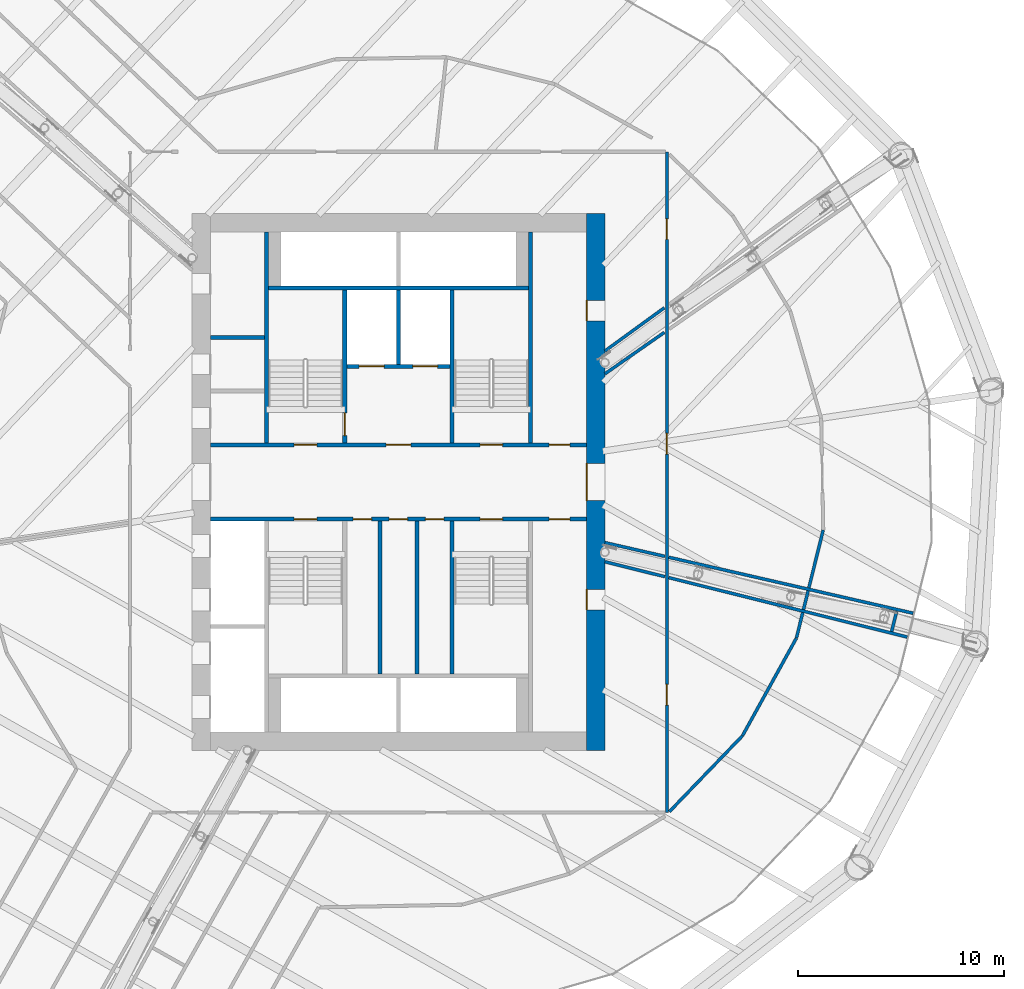
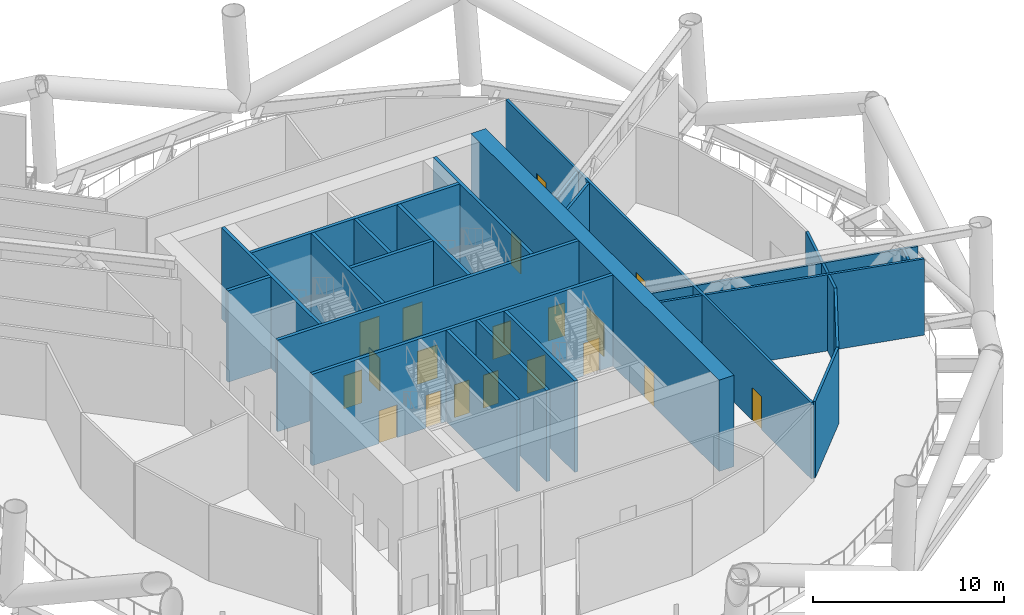
# One storey, part 15 of 39: 27 walls, 19 doors, 19 openings.
"""IFC4 building model written with IfcOpenShell, lengths in metres."""

from ifc_helpers import new_model, si_unit, direction, frame, frame_2d, origin, place, context, subcontext, project, spatial, rectangle, extrude, material, layer, layer_set, type_object, element, fill, save


model = new_model("IFC4")

# Units and contexts
model_context = context("Model", 3, precision=1e-05, world=origin(), true_north=direction((0.0, 1.0)))
body_context = subcontext(model_context, "Body", "Model", "MODEL_VIEW")
ifc_project = project(units=[si_unit("LENGTHUNIT", "METRE"), si_unit("AREAUNIT", "SQUARE_METRE"), si_unit("VOLUMEUNIT", "CUBIC_METRE"), si_unit("PLANEANGLEUNIT", "RADIAN"), si_unit("MASSUNIT", "GRAM", prefix="KILO")], contexts=[model_context])

# Site, building, storey
site_placement = place(None, origin())
site = spatial("IfcSite", under=ifc_project, at=site_placement, CompositionType="ELEMENT")
building_placement = place(site_placement, origin())
building = spatial("IfcBuilding", under=site, at=building_placement, Name="Tarsis Ring Headquarters", CompositionType="ELEMENT")
storey_placement = place(building_placement, frame((0.0, 0.0, 86.800048828125)))
storey = spatial("IfcBuildingStorey", under=building, at=storey_placement, Name="L19", CompositionType="ELEMENT", Elevation=86.800048828125)

# Walls
ifc_material_1 = material(Name="Blockwork", Category="masonry")
ifc_layer_1 = layer(ifc_material_1, 0.199951171875)
ifc_layer_set_1 = layer_set([ifc_layer_1], Name="Core blockwork wall 200")
wall_type_1 = type_object("IfcWallType", Name="Core blockwork wall 200", PredefinedType="PARTITIONING", material=ifc_layer_set_1)
wall_1_placement = place(storey_placement, frame((-9.10009765625, 7.0, 0.0), z_axis=(0.0, 0.0, 1.0), x_axis=(1.0, 0.0, 0.0)))
element("IfcWall", 1, at=wall_1_placement, inside=storey, type_object=wall_type_1, Name="Core partition WD6", PredefinedType="PARTITIONING", context=body_context, shape_type="SweptSolid", body=[
    extrude(rectangle(XDim=2.60009765625, YDim=0.199951171875, at=frame_2d((1.300048828125, 0.0))), origin(), (0.0, 0.0, 1.0), 5.83984375),
])
for number, where, z_axis, x_axis, name in (
    (2, (-0.89990234375, -9.300048828125, 0.0), (0.0, 0.0, 1.0), (0.0, 1.0, 0.0), "Core partition SV1"),
    (3, (0.89990234375, -9.300048828125, 0.0), (0.0, 0.0, 1.0), (0.0, 1.0, 0.0), "Core partition SV2"),
):
    element("IfcWall", number, at=place(storey_placement, frame(where, z_axis=z_axis, x_axis=x_axis)), inside=storey, type_object=wall_type_1, Name=name, PredefinedType="PARTITIONING", context=body_context, shape_type="SweptSolid", body=[
        extrude(rectangle(XDim=7.400146484375, YDim=0.199951171875, at=frame_2d((3.7001953125, 0.0))), origin(), (0.0, 0.0, 1.0), 5.83984375),
    ])

# Wall, openings, doors
ifc_material_2 = material(Name="Concrete C60/75", Category="concrete")
ifc_layer_2 = layer(ifc_material_2, 0.89990234375)
ifc_layer_set_2 = layer_set([ifc_layer_2], Name="Core wall 900 C60/75")
wall_type_2 = type_object("IfcWallType", Name="Core wall 900 C60/75", PredefinedType="SHEAR", material=ifc_layer_set_2)
wall_2_placement = place(storey_placement, frame((9.550048828125, -13.0, 0.0), z_axis=(0.0, 0.0, 1.0), x_axis=(0.0, 1.0, 0.0)))
wall_2 = element("IfcWall", 4, at=wall_2_placement, inside=storey, type_object=wall_type_2, Name="Core wall OE", PredefinedType="SHEAR", context=body_context, shape_type="SweptSolid", body=[
    extrude(rectangle(XDim=26.0, YDim=0.89990234375, at=frame_2d((13.0, 0.0))), origin(), (0.0, 0.0, 1.0), 5.83984375),
])
opening_1_placement = place(wall_2_placement, frame((6.800048828125, 0.0, 0.0)))
opening_1 = element("IfcOpeningElement", 5, at=opening_1_placement, cuts=wall_2, Name="Opening L19-C09", PredefinedType="OPENING", context=body_context, shape_type="SweptSolid", body=[
    extrude(rectangle(XDim=1.0, YDim=2.10009765625, at=frame_2d((0.5, 1.050048828125))), frame((0.0, 0.4599609375, 0.0), z_axis=(0.0, -1.0, 0.0), x_axis=(1.0, 0.0, 0.0)), (0.0, 0.0, 1.0), 0.919921875),
])
opening_2_placement = place(wall_2_placement, frame((12.10009765625, 0.0, 0.0)))
opening_2 = element("IfcOpeningElement", 6, at=opening_2_placement, cuts=wall_2, Name="Opening L19-C10", PredefinedType="OPENING", context=body_context, shape_type="SweptSolid", body=[
    extrude(rectangle(XDim=1.800048828125, YDim=2.10009765625, at=frame_2d((0.89990234375, 1.050048828125))), frame((0.0, 0.4599609375, 0.0), z_axis=(0.0, -1.0, 0.0), x_axis=(1.0, 0.0, 0.0)), (0.0, 0.0, 1.0), 0.919921875),
])
opening_3_placement = place(wall_2_placement, frame((20.803955078125, 0.0, 0.0)))
opening_3 = element("IfcOpeningElement", 7, at=opening_3_placement, cuts=wall_2, Name="Opening L19-C11", PredefinedType="OPENING", context=body_context, shape_type="SweptSolid", body=[
    extrude(rectangle(XDim=1.0, YDim=2.10009765625, at=frame_2d((0.5, 1.050048828125))), frame((0.0, 0.4599609375, 0.0), z_axis=(0.0, -1.0, 0.0), x_axis=(1.0, 0.0, 0.0)), (0.0, 0.0, 1.0), 0.919921875),
])
ifc_material_3 = material(Name="Steel S355", Category="steel")
door_type_1 = type_object("IfcDoorType", Name="Core entry door 1800x2100", OperationType="DOUBLE_DOOR_SINGLE_SWING", PredefinedType="DOOR", material=ifc_material_3)
door_1_placement = place(opening_2_placement, origin())
door_1 = element("IfcDoor", 8, at=door_1_placement, inside=storey, type_object=door_type_1, Name="Core entry door L19", OperationType="DOUBLE_DOOR_SINGLE_SWING", OverallHeight=2.10009765625, OverallWidth=1.800048828125, PredefinedType="DOOR", context=body_context, shape_type="SweptSolid", body=[
    extrude(rectangle(XDim=1.800048828125, YDim=2.10009765625, at=frame_2d((0.89990234375, 1.050048828125))), frame((0.0, 0.4501953125, 0.0), z_axis=(0.0, -1.0, 0.0), x_axis=(1.0, 0.0, 0.0)), (0.0, 0.0, 1.0), 0.050048828125),
])
fill(opening_2, door_1)
door_type_2 = type_object("IfcDoorType", Name="Core room door 1000x2100", OperationType="SINGLE_SWING_LEFT", PredefinedType="DOOR", material=ifc_material_3)
door_2_placement = place(opening_1_placement, origin())
door_2 = element("IfcDoor", 9, at=door_2_placement, inside=storey, type_object=door_type_2, Name="Core room door L19", OperationType="SINGLE_SWING_LEFT", OverallHeight=2.10009765625, OverallWidth=1.0, PredefinedType="DOOR", context=body_context, shape_type="SweptSolid", body=[
    extrude(rectangle(XDim=1.0, YDim=2.10009765625, at=frame_2d((0.5, 1.050048828125))), frame((0.0, 0.4501953125, 0.0), z_axis=(0.0, -1.0, 0.0), x_axis=(1.0, 0.0, 0.0)), (0.0, 0.0, 1.0), 0.050048828125),
])
fill(opening_1, door_2)
door_3_placement = place(opening_3_placement, origin())
door_3 = element("IfcDoor", 10, at=door_3_placement, inside=storey, type_object=door_type_2, Name="Core room door L19", OperationType="SINGLE_SWING_LEFT", OverallHeight=2.10009765625, OverallWidth=1.0, PredefinedType="DOOR", context=body_context, shape_type="SweptSolid", body=[
    extrude(rectangle(XDim=1.0, YDim=2.10009765625, at=frame_2d((0.5, 1.050048828125))), frame((0.0, 0.4501953125, 0.0), z_axis=(0.0, -1.0, 0.0), x_axis=(1.0, 0.0, 0.0)), (0.0, 0.0, 1.0), 0.050048828125),
])
fill(opening_3, door_3)

ifc_material_4 = material(Name="Gypsum board on steel studs", Category="steel")
ifc_layer_3 = layer(ifc_material_4, 0.14990234375)
ifc_layer_set_3 = layer_set([ifc_layer_3], Name="FL partition 150 EI 120 H4870")
wall_type_3 = type_object("IfcWallType", Name="FL partition 150 EI 120 H4870", PredefinedType="PARTITIONING", material=ifc_layer_set_3)
wall_3_placement = place(storey_placement, frame((13.0, -15.9990234375, 0.0), z_axis=(0.0, 0.0, 1.0), x_axis=(0.0, 1.0, 0.0)))
wall_3 = element("IfcWall", 11, at=wall_3_placement, inside=storey, type_object=wall_type_3, Name="Partition PW2H487", PredefinedType="PARTITIONING", context=body_context, shape_type="SweptSolid", body=[
    extrude(rectangle(XDim=31.978271484375, YDim=0.14990234375, at=frame_2d((15.9892578125, 0.0))), origin(), (0.0, 0.0, 1.0), 4.869873046875),
])
opening_4_placement = place(wall_3_placement, frame((5.19384765625, 0.0, 0.0)))
opening_4 = element("IfcOpeningElement", 12, at=opening_4_placement, cuts=wall_3, Name="Opening D19.10", PredefinedType="OPENING", context=body_context, shape_type="SweptSolid", body=[
    extrude(rectangle(XDim=1.0, YDim=2.10009765625, at=frame_2d((0.5, 1.050048828125))), frame((0.0, 0.0849609375, 0.0), z_axis=(0.0, -1.0, 0.0), x_axis=(1.0, 0.0, 0.0)), (0.0, 0.0, 1.0), 0.169921875),
])
opening_5_placement = place(wall_3_placement, frame((17.348876953125, 0.0, 0.0)))
opening_5 = element("IfcOpeningElement", 13, at=opening_5_placement, cuts=wall_3, Name="Opening D19.12", PredefinedType="OPENING", context=body_context, shape_type="SweptSolid", body=[
    extrude(rectangle(XDim=1.0, YDim=2.10009765625, at=frame_2d((0.5, 1.050048828125))), frame((0.0, 0.0849609375, 0.0), z_axis=(0.0, -1.0, 0.0), x_axis=(1.0, 0.0, 0.0)), (0.0, 0.0, 1.0), 0.169921875),
])
opening_6_placement = place(wall_3_placement, frame((27.749267578125, 0.0, 0.0)))
opening_6 = element("IfcOpeningElement", 14, at=opening_6_placement, cuts=wall_3, Name="Opening D19.13", PredefinedType="OPENING", context=body_context, shape_type="SweptSolid", body=[
    extrude(rectangle(XDim=1.0, YDim=2.10009765625, at=frame_2d((0.5, 1.050048828125))), frame((0.0, 0.0849609375, 0.0), z_axis=(0.0, -1.0, 0.0), x_axis=(1.0, 0.0, 0.0)), (0.0, 0.0, 1.0), 0.169921875),
])
ifc_material_5 = material(Name="Fire-rated timber door leaf in steel frame", Category="steel")
door_type_3 = type_object("IfcDoorType", Name="FL door FD120-1000", OperationType="NOTDEFINED", PredefinedType="DOOR", material=ifc_material_5)
door_4_placement = place(opening_4_placement, origin())
door_4 = element("IfcDoor", 15, at=door_4_placement, inside=storey, type_object=door_type_3, Name="Door D19.10", OperationType="SINGLE_SWING_LEFT", OverallHeight=2.10009765625, OverallWidth=1.0, PredefinedType="DOOR", context=body_context, shape_type="SweptSolid", body=[
    extrude(rectangle(XDim=1.0, YDim=2.10009765625, at=frame_2d((0.5, 1.050048828125))), frame((0.0, 0.02490234375, 0.0), z_axis=(0.0, -1.0, 0.0), x_axis=(1.0, 0.0, 0.0)), (0.0, 0.0, 1.0), 0.050048828125),
])
fill(opening_4, door_4)
door_5_placement = place(opening_5_placement, origin())
door_5 = element("IfcDoor", 16, at=door_5_placement, inside=storey, type_object=door_type_3, Name="Door D19.12", OperationType="SINGLE_SWING_LEFT", OverallHeight=2.10009765625, OverallWidth=1.0, PredefinedType="DOOR", context=body_context, shape_type="SweptSolid", body=[
    extrude(rectangle(XDim=1.0, YDim=2.10009765625, at=frame_2d((0.5, 1.050048828125))), frame((0.0, 0.02490234375, 0.0), z_axis=(0.0, -1.0, 0.0), x_axis=(1.0, 0.0, 0.0)), (0.0, 0.0, 1.0), 0.050048828125),
])
fill(opening_5, door_5)
door_6_placement = place(opening_6_placement, origin())
door_6 = element("IfcDoor", 17, at=door_6_placement, inside=storey, type_object=door_type_3, Name="Door D19.13", OperationType="SINGLE_SWING_RIGHT", OverallHeight=2.10009765625, OverallWidth=1.0, PredefinedType="DOOR", context=body_context, shape_type="SweptSolid", body=[
    extrude(rectangle(XDim=1.0, YDim=2.10009765625, at=frame_2d((0.5, 1.050048828125))), frame((0.0, 0.02490234375, 0.0), z_axis=(0.0, -1.0, 0.0), x_axis=(1.0, 0.0, 0.0)), (0.0, 0.0, 1.0), 0.050048828125),
])
fill(opening_6, door_6)

# Walls
wall_4_placement = place(storey_placement, frame((10.000244140625, -2.937255859375, 0.0), z_axis=(0.0, 0.0, 1.0), x_axis=(0.974743082566, -0.223329180784, 0.0)))
element("IfcWall", 18, at=wall_4_placement, inside=storey, type_object=wall_type_3, Name="Partition PW2H487", PredefinedType="PARTITIONING", context=body_context, shape_type="SweptSolid", body=[
    extrude(rectangle(XDim=2.9833984375, YDim=0.14990234375, at=frame_2d((1.49169921875, 0.0))), origin(), (0.0, 0.0, 1.0), 4.869873046875),
])
wall_5_placement = place(storey_placement, frame((13.091796875, -3.6455078125, 0.0), z_axis=(0.0, 0.0, 1.0), x_axis=(0.974746723636, -0.223313288366, 0.0)))
element("IfcWall", 19, at=wall_5_placement, inside=storey, type_object=wall_type_3, Name="Partition PW2H487", PredefinedType="PARTITIONING", context=body_context, shape_type="SweptSolid", body=[
    extrude(rectangle(XDim=12.14501953125, YDim=0.14990234375, at=frame_2d((6.072509765625, 0.0))), origin(), (0.0, 0.0, 1.0), 4.869873046875),
])
wall_6_placement = place(storey_placement, frame((10.00048828125, -3.8623046875, 0.0), z_axis=(0.0, 0.0, 1.0), x_axis=(0.970338756781, -0.241749244235, 0.0)))
element("IfcWall", 20, at=wall_6_placement, inside=storey, type_object=wall_type_3, Name="Partition PW2H487", PredefinedType="PARTITIONING", context=body_context, shape_type="SweptSolid", body=[
    extrude(rectangle(XDim=2.995361328125, YDim=0.14990234375, at=frame_2d((1.49755859375, 0.0))), origin(), (0.0, 0.0, 1.0), 4.869873046875),
])
wall_7_placement = place(storey_placement, frame((13.093017578125, -4.6328125, 0.0), z_axis=(0.0, 0.0, 1.0), x_axis=(0.970337618816, -0.241753811781, 0.0)))
element("IfcWall", 21, at=wall_7_placement, inside=storey, type_object=wall_type_3, Name="Partition PW2H487", PredefinedType="PARTITIONING", context=body_context, shape_type="SweptSolid", body=[
    extrude(rectangle(XDim=11.904296875, YDim=0.14990234375, at=frame_2d((5.9521484375, 0.0))), origin(), (0.0, 0.0, 1.0), 4.869873046875),
])
wall_8_placement = place(storey_placement, frame((9.997802734375, 5.237548828125, 0.0), z_axis=(0.0, 0.0, 1.0), x_axis=(0.820365591241, 0.571839397653, 0.0)))
element("IfcWall", 22, at=wall_8_placement, inside=storey, type_object=wall_type_3, Name="Partition PW2H487", PredefinedType="PARTITIONING", context=body_context, shape_type="SweptSolid", body=[
    extrude(rectangle(XDim=3.515869140625, YDim=0.14990234375, at=frame_2d((1.7578125, 0.0))), origin(), (0.0, 0.0, 1.0), 4.869873046875),
])
wall_9_placement = place(storey_placement, frame((9.99755859375, 6.3427734375, 0.0), z_axis=(0.0, 0.0, 1.0), x_axis=(0.808739045555, 0.588167625933, 0.0)))
element("IfcWall", 23, at=wall_9_placement, inside=storey, type_object=wall_type_3, Name="Partition PW2H487", PredefinedType="PARTITIONING", context=body_context, shape_type="SweptSolid", body=[
    extrude(rectangle(XDim=3.565185546875, YDim=0.14990234375, at=frame_2d((1.78271484375, 0.0))), origin(), (0.0, 0.0, 1.0), 4.869873046875),
])
wall_10_placement = place(storey_placement, frame((19.277099609375, -7.56201171875, 0.0), z_axis=(0.0, 0.0, 1.0), x_axis=(0.240457971044, 0.97065955111, 0.0)))
element("IfcWall", 24, at=wall_10_placement, inside=storey, type_object=wall_type_3, Name="Partition PW2H487", PredefinedType="PARTITIONING", context=body_context, shape_type="SweptSolid", body=[
    extrude(rectangle(XDim=1.272216796875, YDim=0.14990234375, at=frame_2d((0.63623046875, 0.0))), origin(), (0.0, 0.0, 1.0), 4.869873046875),
])
wall_11_placement = place(storey_placement, frame((19.619140625, -6.181396484375, 0.0), z_axis=(0.0, 0.0, 1.0), x_axis=(0.24051397288, 0.970645676264, 0.0)))
element("IfcWall", 25, at=wall_11_placement, inside=storey, type_object=wall_type_3, Name="Partition PW2H487", PredefinedType="PARTITIONING", context=body_context, shape_type="SweptSolid", body=[
    extrude(rectangle(XDim=0.93798828125, YDim=0.14990234375, at=frame_2d((0.468994140625, 0.0))), origin(), (0.0, 0.0, 1.0), 4.869873046875),
])
wall_12_placement = place(storey_placement, frame((19.881591796875, -5.122802734375, 0.0), z_axis=(0.0, 0.0, 1.0), x_axis=(0.240501965567, 0.970648651448, 0.0)))
element("IfcWall", 26, at=wall_12_placement, inside=storey, type_object=wall_type_3, Name="Partition PW2H487", PredefinedType="PARTITIONING", context=body_context, shape_type="SweptSolid", body=[
    extrude(rectangle(XDim=2.8818359375, YDim=0.14990234375, at=frame_2d((1.44091796875, 0.0))), origin(), (0.0, 0.0, 1.0), 4.869873046875),
])
wall_13_placement = place(storey_placement, frame((13.12158203125, -15.97119140625, 0.0), z_axis=(0.0, 0.0, 1.0), x_axis=(0.693661906282, 0.720300742589, 0.0)))
element("IfcWall", 27, at=wall_13_placement, inside=storey, type_object=wall_type_3, Name="Partition PW2H487", PredefinedType="PARTITIONING", context=body_context, shape_type="SweptSolid", body=[
    extrude(rectangle(XDim=5.104736328125, YDim=0.14990234375, at=frame_2d((2.55224609375, 0.0))), origin(), (0.0, 0.0, 1.0), 4.869873046875),
])
wall_14_placement = place(storey_placement, frame((16.667724609375, -12.284912109375, 0.0), z_axis=(0.0, 0.0, 1.0), x_axis=(0.483593802551, 0.875292542031, 0.0)))
element("IfcWall", 28, at=wall_14_placement, inside=storey, type_object=wall_type_3, Name="Partition PW2H487", PredefinedType="PARTITIONING", context=body_context, shape_type="SweptSolid", body=[
    extrude(rectangle(XDim=5.38525390625, YDim=0.14990234375, at=frame_2d((2.692626953125, 0.0))), origin(), (0.0, 0.0, 1.0), 4.869873046875),
])
wall_15_placement = place(storey_placement, frame((23.889404296875, -7.241943359375, 0.0), z_axis=(0.0, 0.0, 1.0), x_axis=(0.240664613698, 0.970608336928, 0.0)))
element("IfcWall", 29, at=wall_15_placement, inside=storey, type_object=wall_type_3, Name="Partition PW2H487", PredefinedType="PARTITIONING", context=body_context, shape_type="SweptSolid", body=[
    extrude(rectangle(XDim=1.013427734375, YDim=0.14990234375, at=frame_2d((0.5068359375, 0.0))), origin(), (0.0, 0.0, 1.0), 4.869873046875),
])

# Wall, openings, doors
ifc_material_6 = material(Name="Concrete C32/40", Category="concrete")
ifc_layer_4 = layer(ifc_material_6, 0.199951171875)
ifc_layer_set_4 = layer_set([ifc_layer_4], Name="Shaft wall 200 C32/40")
wall_type_4 = type_object("IfcWallType", Name="Shaft wall 200 C32/40", PredefinedType="SOLIDWALL", material=ifc_layer_set_4)
wall_16_placement = place(storey_placement, frame((-9.10009765625, 1.800048828125, 0.0), z_axis=(0.0, 0.0, 1.0), x_axis=(1.0, 0.0, 0.0)))
wall_16 = element("IfcWall", 30, at=wall_16_placement, inside=storey, type_object=wall_type_4, Name="Core shaft wall CN", PredefinedType="SOLIDWALL", context=body_context, shape_type="SweptSolid", body=[
    extrude(rectangle(XDim=18.2001953125, YDim=0.199951171875, at=frame_2d((9.10009765625, 0.0))), origin(), (0.0, 0.0, 1.0), 5.83984375),
])
opening_7_placement = place(wall_16_placement, frame((4.050048828125, 0.0, 0.0)))
opening_7 = element("IfcOpeningElement", 31, at=opening_7_placement, cuts=wall_16, Name="Opening L19-C12", PredefinedType="OPENING", context=body_context, shape_type="SweptSolid", body=[
    extrude(rectangle(XDim=1.10009765625, YDim=2.10009765625, at=frame_2d((0.550048828125, 1.050048828125))), frame((0.0, 0.10986328125, 0.0), z_axis=(0.0, -1.0, 0.0), x_axis=(1.0, 0.0, 0.0)), (0.0, 0.0, 1.0), 0.219970703125),
])
opening_8_placement = place(wall_16_placement, frame((8.5, 0.0, 0.0)))
opening_8 = element("IfcOpeningElement", 32, at=opening_8_placement, cuts=wall_16, Name="Opening L19-C13", PredefinedType="OPENING", context=body_context, shape_type="SweptSolid", body=[
    extrude(rectangle(XDim=1.199951171875, YDim=2.10009765625, at=frame_2d((0.60009765625, 1.050048828125))), frame((0.0, 0.10986328125, 0.0), z_axis=(0.0, -1.0, 0.0), x_axis=(1.0, 0.0, 0.0)), (0.0, 0.0, 1.0), 0.219970703125),
])
opening_9_placement = place(wall_16_placement, frame((13.050048828125, 0.0, 0.0)))
opening_9 = element("IfcOpeningElement", 33, at=opening_9_placement, cuts=wall_16, Name="Opening L19-C14", PredefinedType="OPENING", context=body_context, shape_type="SweptSolid", body=[
    extrude(rectangle(XDim=1.10009765625, YDim=2.10009765625, at=frame_2d((0.550048828125, 1.050048828125))), frame((0.0, 0.10986328125, 0.0), z_axis=(0.0, -1.0, 0.0), x_axis=(1.0, 0.0, 0.0)), (0.0, 0.0, 1.0), 0.219970703125),
])
opening_10_placement = place(wall_16_placement, frame((16.39990234375, 0.0, 0.0)))
opening_10 = element("IfcOpeningElement", 34, at=opening_10_placement, cuts=wall_16, Name="Opening L19-C15", PredefinedType="OPENING", context=body_context, shape_type="SweptSolid", body=[
    extrude(rectangle(XDim=1.0, YDim=2.10009765625, at=frame_2d((0.5, 1.050048828125))), frame((0.0, 0.10986328125, 0.0), z_axis=(0.0, -1.0, 0.0), x_axis=(1.0, 0.0, 0.0)), (0.0, 0.0, 1.0), 0.219970703125),
])
door_7_placement = place(opening_10_placement, origin())
door_7 = element("IfcDoor", 35, at=door_7_placement, inside=storey, type_object=door_type_2, Name="Core room door L19", OperationType="SINGLE_SWING_LEFT", OverallHeight=2.10009765625, OverallWidth=1.0, PredefinedType="DOOR", context=body_context, shape_type="SweptSolid", body=[
    extrude(rectangle(XDim=1.0, YDim=2.10009765625, at=frame_2d((0.5, 1.050048828125))), frame((0.0, 0.02490234375, 0.0), z_axis=(0.0, -1.0, 0.0), x_axis=(1.0, 0.0, 0.0)), (0.0, 0.0, 1.0), 0.050048828125),
])
fill(opening_10, door_7)
door_type_4 = type_object("IfcDoorType", Name="Firefighting lobby door 1200x2100", OperationType="DOUBLE_DOOR_SINGLE_SWING", PredefinedType="DOOR", material=ifc_material_3)
door_8_placement = place(opening_8_placement, origin())
door_8 = element("IfcDoor", 36, at=door_8_placement, inside=storey, type_object=door_type_4, Name="Firefighting lobby door L19", OperationType="DOUBLE_DOOR_SINGLE_SWING", OverallHeight=2.10009765625, OverallWidth=1.199951171875, PredefinedType="DOOR", context=body_context, shape_type="SweptSolid", body=[
    extrude(rectangle(XDim=1.199951171875, YDim=2.10009765625, at=frame_2d((0.60009765625, 1.050048828125))), frame((0.0, 0.02490234375, 0.0), z_axis=(0.0, -1.0, 0.0), x_axis=(1.0, 0.0, 0.0)), (0.0, 0.0, 1.0), 0.050048828125),
])
fill(opening_8, door_8)
door_type_5 = type_object("IfcDoorType", Name="Stair door 1100x2100", OperationType="SINGLE_SWING_LEFT", PredefinedType="DOOR", material=ifc_material_3)
door_9_placement = place(opening_7_placement, origin())
door_9 = element("IfcDoor", 37, at=door_9_placement, inside=storey, type_object=door_type_5, Name="Stair door L19", OperationType="SINGLE_SWING_LEFT", OverallHeight=2.10009765625, OverallWidth=1.10009765625, PredefinedType="DOOR", context=body_context, shape_type="SweptSolid", body=[
    extrude(rectangle(XDim=1.10009765625, YDim=2.10009765625, at=frame_2d((0.550048828125, 1.050048828125))), frame((0.0, 0.02490234375, 0.0), z_axis=(0.0, -1.0, 0.0), x_axis=(1.0, 0.0, 0.0)), (0.0, 0.0, 1.0), 0.050048828125),
])
fill(opening_7, door_9)
door_10_placement = place(opening_9_placement, origin())
door_10 = element("IfcDoor", 38, at=door_10_placement, inside=storey, type_object=door_type_5, Name="Stair door L19", OperationType="SINGLE_SWING_LEFT", OverallHeight=2.10009765625, OverallWidth=1.10009765625, PredefinedType="DOOR", context=body_context, shape_type="SweptSolid", body=[
    extrude(rectangle(XDim=1.10009765625, YDim=2.10009765625, at=frame_2d((0.550048828125, 1.050048828125))), frame((0.0, 0.02490234375, 0.0), z_axis=(0.0, -1.0, 0.0), x_axis=(1.0, 0.0, 0.0)), (0.0, 0.0, 1.0), 0.050048828125),
])
fill(opening_9, door_10)

wall_17_placement = place(storey_placement, frame((-9.10009765625, -1.800048828125, 0.0), z_axis=(0.0, 0.0, 1.0), x_axis=(1.0, 0.0, 0.0)))
wall_17 = element("IfcWall", 39, at=wall_17_placement, inside=storey, type_object=wall_type_4, Name="Core shaft wall CS", PredefinedType="SOLIDWALL", context=body_context, shape_type="SweptSolid", body=[
    extrude(rectangle(XDim=18.2001953125, YDim=0.199951171875, at=frame_2d((9.10009765625, 0.0))), origin(), (0.0, 0.0, 1.0), 5.83984375),
])
opening_11_placement = place(wall_17_placement, frame((4.050048828125, 0.0, 0.0)))
opening_11 = element("IfcOpeningElement", 40, at=opening_11_placement, cuts=wall_17, Name="Opening L19-C16", PredefinedType="OPENING", context=body_context, shape_type="SweptSolid", body=[
    extrude(rectangle(XDim=1.10009765625, YDim=2.10009765625, at=frame_2d((0.550048828125, 1.050048828125))), frame((0.0, 0.10986328125, 0.0), z_axis=(0.0, -1.0, 0.0), x_axis=(1.0, 0.0, 0.0)), (0.0, 0.0, 1.0), 0.219970703125),
])
opening_12_placement = place(wall_17_placement, frame((6.89990234375, 0.0, 0.0)))
opening_12 = element("IfcOpeningElement", 41, at=opening_12_placement, cuts=wall_17, Name="Opening L19-C17", PredefinedType="OPENING", context=body_context, shape_type="SweptSolid", body=[
    extrude(rectangle(XDim=0.89990234375, YDim=2.10009765625, at=frame_2d((0.449951171875, 1.050048828125))), frame((0.0, 0.10986328125, 0.0), z_axis=(0.0, -1.0, 0.0), x_axis=(1.0, 0.0, 0.0)), (0.0, 0.0, 1.0), 0.219970703125),
])
opening_13_placement = place(wall_17_placement, frame((8.64990234375, 0.0, 0.0)))
opening_13 = element("IfcOpeningElement", 42, at=opening_13_placement, cuts=wall_17, Name="Opening L19-C18", PredefinedType="OPENING", context=body_context, shape_type="SweptSolid", body=[
    extrude(rectangle(XDim=0.89990234375, YDim=2.10009765625, at=frame_2d((0.449951171875, 1.050048828125))), frame((0.0, 0.10986328125, 0.0), z_axis=(0.0, -1.0, 0.0), x_axis=(1.0, 0.0, 0.0)), (0.0, 0.0, 1.0), 0.219970703125),
])
opening_14_placement = place(wall_17_placement, frame((10.39990234375, 0.0, 0.0)))
opening_14 = element("IfcOpeningElement", 43, at=opening_14_placement, cuts=wall_17, Name="Opening L19-C19", PredefinedType="OPENING", context=body_context, shape_type="SweptSolid", body=[
    extrude(rectangle(XDim=0.89990234375, YDim=2.10009765625, at=frame_2d((0.449951171875, 1.050048828125))), frame((0.0, 0.10986328125, 0.0), z_axis=(0.0, -1.0, 0.0), x_axis=(1.0, 0.0, 0.0)), (0.0, 0.0, 1.0), 0.219970703125),
])
opening_15_placement = place(wall_17_placement, frame((13.050048828125, 0.0, 0.0)))
opening_15 = element("IfcOpeningElement", 44, at=opening_15_placement, cuts=wall_17, Name="Opening L19-C20", PredefinedType="OPENING", context=body_context, shape_type="SweptSolid", body=[
    extrude(rectangle(XDim=1.10009765625, YDim=2.10009765625, at=frame_2d((0.550048828125, 1.050048828125))), frame((0.0, 0.10986328125, 0.0), z_axis=(0.0, -1.0, 0.0), x_axis=(1.0, 0.0, 0.0)), (0.0, 0.0, 1.0), 0.219970703125),
])
opening_16_placement = place(wall_17_placement, frame((16.39990234375, 0.0, 0.0)))
opening_16 = element("IfcOpeningElement", 45, at=opening_16_placement, cuts=wall_17, Name="Opening L19-C21", PredefinedType="OPENING", context=body_context, shape_type="SweptSolid", body=[
    extrude(rectangle(XDim=1.0, YDim=2.10009765625, at=frame_2d((0.5, 1.050048828125))), frame((0.0, 0.10986328125, 0.0), z_axis=(0.0, -1.0, 0.0), x_axis=(1.0, 0.0, 0.0)), (0.0, 0.0, 1.0), 0.219970703125),
])
door_11_placement = place(opening_16_placement, origin())
door_11 = element("IfcDoor", 46, at=door_11_placement, inside=storey, type_object=door_type_2, Name="Core room door L19", OperationType="SINGLE_SWING_LEFT", OverallHeight=2.10009765625, OverallWidth=1.0, PredefinedType="DOOR", context=body_context, shape_type="SweptSolid", body=[
    extrude(rectangle(XDim=1.0, YDim=2.10009765625, at=frame_2d((0.5, 1.050048828125))), frame((0.0, 0.02490234375, 0.0), z_axis=(0.0, -1.0, 0.0), x_axis=(1.0, 0.0, 0.0)), (0.0, 0.0, 1.0), 0.050048828125),
])
fill(opening_16, door_11)
door_12_placement = place(opening_11_placement, origin())
door_12 = element("IfcDoor", 47, at=door_12_placement, inside=storey, type_object=door_type_5, Name="Stair door L19", OperationType="SINGLE_SWING_LEFT", OverallHeight=2.10009765625, OverallWidth=1.10009765625, PredefinedType="DOOR", context=body_context, shape_type="SweptSolid", body=[
    extrude(rectangle(XDim=1.10009765625, YDim=2.10009765625, at=frame_2d((0.550048828125, 1.050048828125))), frame((0.0, 0.02490234375, 0.0), z_axis=(0.0, -1.0, 0.0), x_axis=(1.0, 0.0, 0.0)), (0.0, 0.0, 1.0), 0.050048828125),
])
fill(opening_11, door_12)
door_13_placement = place(opening_15_placement, origin())
door_13 = element("IfcDoor", 48, at=door_13_placement, inside=storey, type_object=door_type_5, Name="Stair door L19", OperationType="SINGLE_SWING_LEFT", OverallHeight=2.10009765625, OverallWidth=1.10009765625, PredefinedType="DOOR", context=body_context, shape_type="SweptSolid", body=[
    extrude(rectangle(XDim=1.10009765625, YDim=2.10009765625, at=frame_2d((0.550048828125, 1.050048828125))), frame((0.0, 0.02490234375, 0.0), z_axis=(0.0, -1.0, 0.0), x_axis=(1.0, 0.0, 0.0)), (0.0, 0.0, 1.0), 0.050048828125),
])
fill(opening_15, door_13)
door_type_6 = type_object("IfcDoorType", Name="WC door 900x2100", OperationType="SINGLE_SWING_LEFT", PredefinedType="DOOR", material=ifc_material_3)
door_14_placement = place(opening_12_placement, origin())
door_14 = element("IfcDoor", 49, at=door_14_placement, inside=storey, type_object=door_type_6, Name="WC door L19", OperationType="SINGLE_SWING_LEFT", OverallHeight=2.10009765625, OverallWidth=0.89990234375, PredefinedType="DOOR", context=body_context, shape_type="SweptSolid", body=[
    extrude(rectangle(XDim=0.89990234375, YDim=2.10009765625, at=frame_2d((0.449951171875, 1.050048828125))), frame((0.0, 0.02490234375, 0.0), z_axis=(0.0, -1.0, 0.0), x_axis=(1.0, 0.0, 0.0)), (0.0, 0.0, 1.0), 0.050048828125),
])
fill(opening_12, door_14)
door_15_placement = place(opening_13_placement, origin())
door_15 = element("IfcDoor", 50, at=door_15_placement, inside=storey, type_object=door_type_6, Name="WC door L19", OperationType="SINGLE_SWING_LEFT", OverallHeight=2.10009765625, OverallWidth=0.89990234375, PredefinedType="DOOR", context=body_context, shape_type="SweptSolid", body=[
    extrude(rectangle(XDim=0.89990234375, YDim=2.10009765625, at=frame_2d((0.449951171875, 1.050048828125))), frame((0.0, 0.02490234375, 0.0), z_axis=(0.0, -1.0, 0.0), x_axis=(1.0, 0.0, 0.0)), (0.0, 0.0, 1.0), 0.050048828125),
])
fill(opening_13, door_15)
door_16_placement = place(opening_14_placement, origin())
door_16 = element("IfcDoor", 51, at=door_16_placement, inside=storey, type_object=door_type_6, Name="WC door L19", OperationType="SINGLE_SWING_LEFT", OverallHeight=2.10009765625, OverallWidth=0.89990234375, PredefinedType="DOOR", context=body_context, shape_type="SweptSolid", body=[
    extrude(rectangle(XDim=0.89990234375, YDim=2.10009765625, at=frame_2d((0.449951171875, 1.050048828125))), frame((0.0, 0.02490234375, 0.0), z_axis=(0.0, -1.0, 0.0), x_axis=(1.0, 0.0, 0.0)), (0.0, 0.0, 1.0), 0.050048828125),
])
fill(opening_14, door_16)

# Walls
for number, where, z_axis, x_axis, name in (
    (52, (-6.39990234375, 1.89990234375, 0.0), (0.0, 0.0, 1.0), (0.0, 1.0, 0.0), "Core shaft wall WB2"),
    (53, (6.39990234375, 1.89990234375, 0.0), (0.0, 0.0, 1.0), (0.0, 1.0, 0.0), "Core shaft wall EB2"),
):
    element("IfcWall", number, at=place(storey_placement, frame(where, z_axis=z_axis, x_axis=x_axis)), inside=storey, type_object=wall_type_4, Name=name, PredefinedType="SOLIDWALL", context=body_context, shape_type="SweptSolid", body=[
        extrude(rectangle(XDim=10.2001953125, YDim=0.199951171875, at=frame_2d((5.10009765625, 0.0))), origin(), (0.0, 0.0, 1.0), 5.83984375),
    ])
wall_18_placement = place(storey_placement, frame((-6.300048828125, 9.39990234375, 0.0), z_axis=(0.0, 0.0, 1.0), x_axis=(1.0, 0.0, 0.0)))
element("IfcWall", 54, at=wall_18_placement, inside=storey, type_object=wall_type_4, Name="Core shaft wall NB", PredefinedType="SOLIDWALL", context=body_context, shape_type="SweptSolid", body=[
    extrude(rectangle(XDim=12.60009765625, YDim=0.199951171875, at=frame_2d((6.300048828125, 0.0))), origin(), (0.0, 0.0, 1.0), 5.83984375),
])

# Wall, opening, door
wall_19_placement = place(storey_placement, frame((-2.60009765625, 1.89990234375, 0.0), z_axis=(0.0, 0.0, 1.0), x_axis=(0.0, 1.0, 0.0)))
wall_19 = element("IfcWall", 55, at=wall_19_placement, inside=storey, type_object=wall_type_4, Name="Core shaft wall SW1", PredefinedType="SOLIDWALL", context=body_context, shape_type="SweptSolid", body=[
    extrude(rectangle(XDim=7.400146484375, YDim=0.199951171875, at=frame_2d((3.7001953125, 0.0))), origin(), (0.0, 0.0, 1.0), 5.83984375),
])
opening_17_placement = place(wall_19_placement, frame((0.35009765625, 0.0, 0.0)))
opening_17 = element("IfcOpeningElement", 56, at=opening_17_placement, cuts=wall_19, Name="Opening L19-C22", PredefinedType="OPENING", context=body_context, shape_type="SweptSolid", body=[
    extrude(rectangle(XDim=1.10009765625, YDim=2.10009765625, at=frame_2d((0.550048828125, 1.050048828125))), frame((0.0, 0.10986328125, 0.0), z_axis=(0.0, -1.0, 0.0), x_axis=(1.0, 0.0, 0.0)), (0.0, 0.0, 1.0), 0.219970703125),
])
door_17_placement = place(opening_17_placement, origin())
door_17 = element("IfcDoor", 57, at=door_17_placement, inside=storey, type_object=door_type_5, Name="Stair door L19", OperationType="SINGLE_SWING_LEFT", OverallHeight=2.10009765625, OverallWidth=1.10009765625, PredefinedType="DOOR", context=body_context, shape_type="SweptSolid", body=[
    extrude(rectangle(XDim=1.10009765625, YDim=2.10009765625, at=frame_2d((0.550048828125, 1.050048828125))), frame((0.0, 0.02490234375, 0.0), z_axis=(0.0, -1.0, 0.0), x_axis=(1.0, 0.0, 0.0)), (0.0, 0.0, 1.0), 0.050048828125),
])
fill(opening_17, door_17)

# Walls
for number, where, z_axis, x_axis, name in (
    (58, (2.60009765625, 1.89990234375, 0.0), (0.0, 0.0, 1.0), (0.0, 1.0, 0.0), "Core shaft wall SW2"),
    (59, (2.60009765625, -9.300048828125, 0.0), (0.0, 0.0, 1.0), (0.0, 1.0, 0.0), "Core shaft wall SW4"),
):
    element("IfcWall", number, at=place(storey_placement, frame(where, z_axis=z_axis, x_axis=x_axis)), inside=storey, type_object=wall_type_4, Name=name, PredefinedType="SOLIDWALL", context=body_context, shape_type="SweptSolid", body=[
        extrude(rectangle(XDim=7.400146484375, YDim=0.199951171875, at=frame_2d((3.7001953125, 0.0))), origin(), (0.0, 0.0, 1.0), 5.83984375),
    ])

# Wall, openings, doors
wall_20_placement = place(storey_placement, frame((-2.5, 5.60009765625, 0.0), z_axis=(0.0, 0.0, 1.0), x_axis=(1.0, 0.0, 0.0)))
wall_20 = element("IfcWall", 60, at=wall_20_placement, inside=storey, type_object=wall_type_4, Name="Core shaft wall FFN", PredefinedType="SOLIDWALL", context=body_context, shape_type="SweptSolid", body=[
    extrude(rectangle(XDim=5.0, YDim=0.199951171875, at=frame_2d((2.5, 0.0))), origin(), (0.0, 0.0, 1.0), 5.83984375),
])
opening_18_placement = place(wall_20_placement, frame((0.60009765625, 0.0, 0.0)))
opening_18 = element("IfcOpeningElement", 61, at=opening_18_placement, cuts=wall_20, Name="Opening LDF-1", PredefinedType="OPENING", context=body_context, shape_type="SweptSolid", body=[
    extrude(rectangle(XDim=1.199951171875, YDim=2.10009765625, at=frame_2d((0.60009765625, 1.050048828125))), frame((0.0, 0.10986328125, 0.0), z_axis=(0.0, -1.0, 0.0), x_axis=(1.0, 0.0, 0.0)), (0.0, 0.0, 1.0), 0.219970703125),
])
opening_19_placement = place(wall_20_placement, frame((3.199951171875, 0.0, 0.0)))
opening_19 = element("IfcOpeningElement", 62, at=opening_19_placement, cuts=wall_20, Name="Opening LDF-2", PredefinedType="OPENING", context=body_context, shape_type="SweptSolid", body=[
    extrude(rectangle(XDim=1.199951171875, YDim=2.10009765625, at=frame_2d((0.60009765625, 1.050048828125))), frame((0.0, 0.10986328125, 0.0), z_axis=(0.0, -1.0, 0.0), x_axis=(1.0, 0.0, 0.0)), (0.0, 0.0, 1.0), 0.219970703125),
])
door_type_7 = type_object("IfcDoorType", Name="Firefighting landing door 1200x2100", OperationType="SLIDING_TO_LEFT", PredefinedType="DOOR", material=ifc_material_3)
door_18_placement = place(opening_18_placement, origin())
door_18 = element("IfcDoor", 63, at=door_18_placement, inside=storey, type_object=door_type_7, Name="Landing door FF1 L19", OperationType="SLIDING_TO_LEFT", OverallHeight=2.10009765625, OverallWidth=1.199951171875, PredefinedType="DOOR", context=body_context, shape_type="SweptSolid", body=[
    extrude(rectangle(XDim=1.199951171875, YDim=2.10009765625, at=frame_2d((0.60009765625, 1.050048828125))), frame((0.0, 0.02490234375, 0.0), z_axis=(0.0, -1.0, 0.0), x_axis=(1.0, 0.0, 0.0)), (0.0, 0.0, 1.0), 0.050048828125),
])
fill(opening_18, door_18)
door_19_placement = place(opening_19_placement, origin())
door_19 = element("IfcDoor", 64, at=door_19_placement, inside=storey, type_object=door_type_7, Name="Landing door FF2 L19", OperationType="SLIDING_TO_LEFT", OverallHeight=2.10009765625, OverallWidth=1.199951171875, PredefinedType="DOOR", context=body_context, shape_type="SweptSolid", body=[
    extrude(rectangle(XDim=1.199951171875, YDim=2.10009765625, at=frame_2d((0.60009765625, 1.050048828125))), frame((0.0, 0.02490234375, 0.0), z_axis=(0.0, -1.0, 0.0), x_axis=(1.0, 0.0, 0.0)), (0.0, 0.0, 1.0), 0.050048828125),
])
fill(opening_19, door_19)

# Wall
wall_21_placement = place(storey_placement, frame((0.0, 5.699951171875, 0.0), z_axis=(0.0, 0.0, 1.0), x_axis=(0.0, 1.0, 0.0)))
element("IfcWall", 65, at=wall_21_placement, inside=storey, type_object=wall_type_4, Name="Core shaft wall FFD", PredefinedType="SOLIDWALL", context=body_context, shape_type="SweptSolid", body=[
    extrude(rectangle(XDim=3.60009765625, YDim=0.199951171875, at=frame_2d((1.800048828125, 0.0))), origin(), (0.0, 0.0, 1.0), 5.83984375),
])

save(model, "model.ifc")
